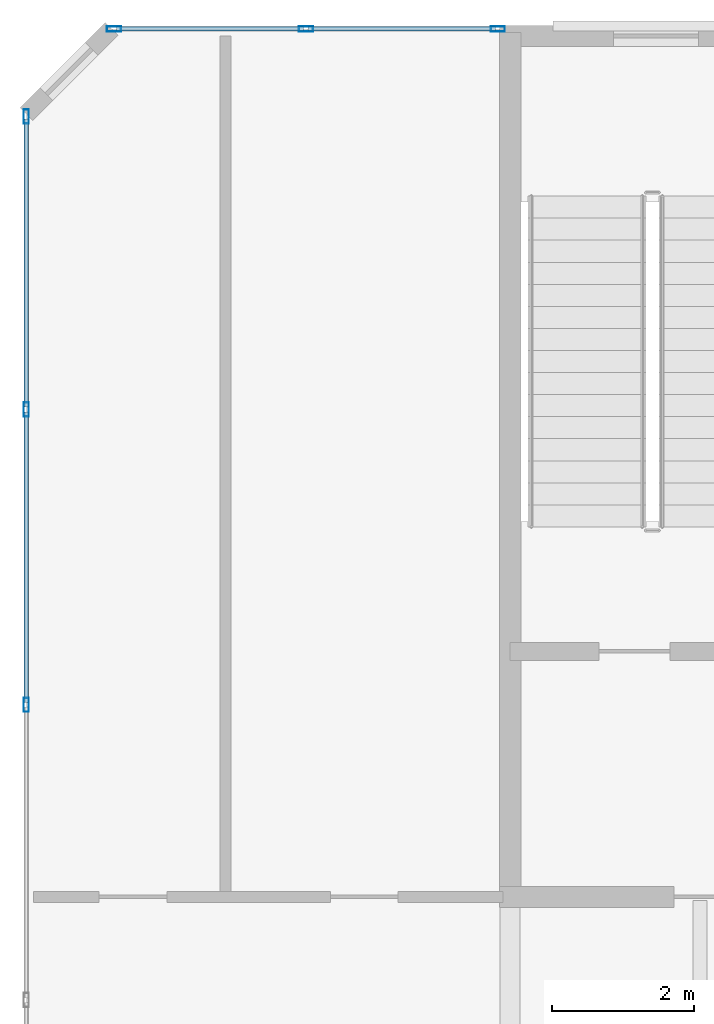
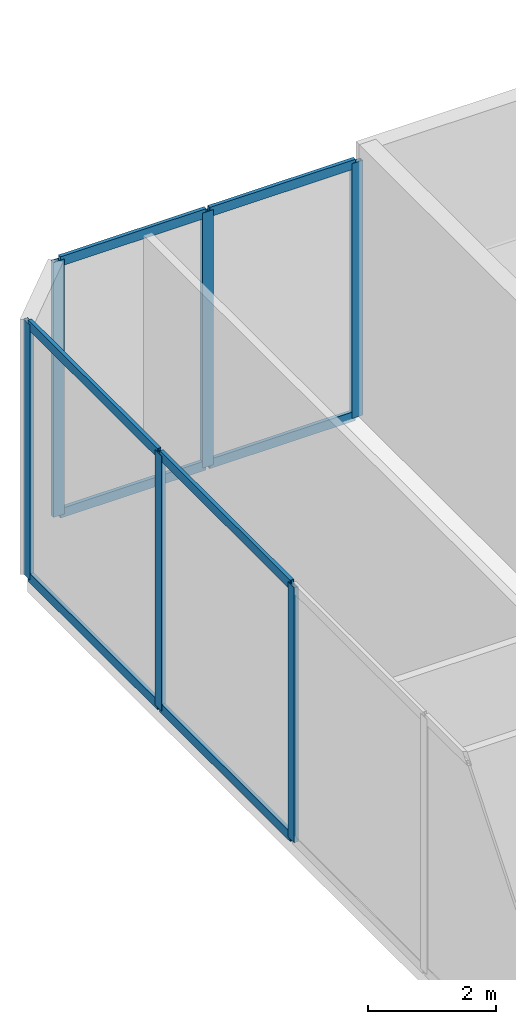
# One storey, part 5 of 11: 14 members, 2 elements without a shape of their own.
"""IFC4 building model written with IfcOpenShell, lengths in metres."""

from ifc_helpers import new_model, si_unit, direction, frame, origin, origin_2d, place, context, subcontext, project, spatial, hollow_rectangle, extrude, material, layer, layer_set, material_profile, profile_set, type_object, element, aggregate, save


model = new_model("IFC4")

# Units and contexts
model_context = context("Model", 3, precision=1e-05, world=origin(), true_north=direction((0.0, 1.0)))
body_context = subcontext(model_context, "Body", "Model", "MODEL_VIEW")
ifc_project = project(units=[si_unit("LENGTHUNIT", "METRE"), si_unit("AREAUNIT", "SQUARE_METRE"), si_unit("VOLUMEUNIT", "CUBIC_METRE"), si_unit("PLANEANGLEUNIT", "RADIAN"), si_unit("MASSUNIT", "GRAM", prefix="KILO")], contexts=[model_context])

# Site, building, storey
site_placement = place(None, origin())
site = spatial("IfcSite", under=ifc_project, at=site_placement, CompositionType="ELEMENT")
building_placement = place(site_placement, origin())
building = spatial("IfcBuilding", under=site, at=building_placement, Name="Catumbela Crestline Tower", CompositionType="ELEMENT")
storey_placement = place(building_placement, frame((0.0, 0.0, 290.6)))
storey = spatial("IfcBuildingStorey", under=building, at=storey_placement, Name="L75", CompositionType="ELEMENT", Elevation=290.6)

# Curtain wall, members
ifc_material = material(Name="Aluminium alloy AW-6060-T66", Category="aluminium")
ifc_layer = layer(ifc_material, 0.18, Name="Aluminium alloy AW-6060-T66")
ifc_layer_set = layer_set([ifc_layer], Name="Aluminium alloy AW-6060-T66")
curtain_wall_type = type_object("IfcCurtainWallType", Name="CWS-OBS", PredefinedType="USERDEFINED", material=ifc_layer_set)
curtain_wall_1_placement = place(storey_placement, origin())
curtain_wall_1 = element("IfcCurtainWall", 1, at=curtain_wall_1_placement, inside=storey, type_object=curtain_wall_type, Name="L75 Stick Curtain Wall CW-L75-E4S2", ObjectType="STICK", PredefinedType="USERDEFINED")
ifc_material_profile_1 = material_profile(ifc_material, hollow_rectangle(XDim=0.075, YDim=0.2, WallThickness=0.005, at=origin_2d()), Name="ALU 200x75x5")
ifc_profile_set_1 = profile_set([ifc_material_profile_1], Name="Aluminium alloy AW-6060-T66")
member_type_1 = type_object("IfcMemberType", Name="MUL-200X75", PredefinedType="MULLION", material=ifc_profile_set_1)
member_1_placement = place(storey_placement, frame((15.8275, 43.0, 0.0), z_axis=(0.0, 0.0, 1.0), x_axis=(0.0, -1.0, 0.0)))
member_1 = element("IfcMember", 2, at=member_1_placement, type_object=member_type_1, Name="CWS-OBS mullion 1", PredefinedType="MULLION", context=body_context, shape_type="SweptSolid", body=[
    extrude(hollow_rectangle(XDim=0.075, YDim=0.2, WallThickness=0.005, at=origin_2d()), origin(), (0.0, 0.0, 1.0), 4.87),
])
member_2_placement = place(storey_placement, frame((13.13, 43.0, 0.0), z_axis=(0.0, 0.0, 1.0), x_axis=(0.0, -1.0, 0.0)))
member_2 = element("IfcMember", 3, at=member_2_placement, type_object=member_type_1, Name="CWS-OBS mullion 2", PredefinedType="MULLION", context=body_context, shape_type="SweptSolid", body=[
    extrude(hollow_rectangle(XDim=0.075, YDim=0.2, WallThickness=0.005, at=origin_2d()), origin(), (0.0, 0.0, 1.0), 4.87),
])
member_3_placement = place(storey_placement, frame((10.4325, 43.0, 0.0), z_axis=(0.0, 0.0, 1.0), x_axis=(0.0, -1.0, 0.0)))
member_3 = element("IfcMember", 4, at=member_3_placement, type_object=member_type_1, Name="CWS-OBS mullion 3", PredefinedType="MULLION", context=body_context, shape_type="SweptSolid", body=[
    extrude(hollow_rectangle(XDim=0.075, YDim=0.2, WallThickness=0.005, at=origin_2d()), origin(), (0.0, 0.0, 1.0), 4.87),
])

curtain_wall_2_placement = place(storey_placement, origin())
curtain_wall_2 = element("IfcCurtainWall", 5, at=curtain_wall_2_placement, inside=storey, type_object=curtain_wall_type, Name="L75 Stick Curtain Wall CW-L75-E6S1", ObjectType="STICK", PredefinedType="USERDEFINED")
member_4_placement = place(storey_placement, frame((9.2, 41.7675, 0.0), z_axis=(0.0, 0.0, 1.0), x_axis=(1.0, 0.0, 0.0)))
member_4 = element("IfcMember", 6, at=member_4_placement, type_object=member_type_1, Name="CWS-OBS mullion 1", PredefinedType="MULLION", context=body_context, shape_type="SweptSolid", body=[
    extrude(hollow_rectangle(XDim=0.075, YDim=0.2, WallThickness=0.005, at=origin_2d()), origin(), (0.0, 0.0, 1.0), 4.87),
])
member_5_placement = place(storey_placement, frame((9.2, 37.65, 0.0), z_axis=(0.0, 0.0, 1.0), x_axis=(1.0, 0.0, 0.0)))
member_5 = element("IfcMember", 7, at=member_5_placement, type_object=member_type_1, Name="CWS-OBS mullion 2", PredefinedType="MULLION", context=body_context, shape_type="SweptSolid", body=[
    extrude(hollow_rectangle(XDim=0.075, YDim=0.2, WallThickness=0.005, at=origin_2d()), origin(), (0.0, 0.0, 1.0), 4.87),
])
member_6_placement = place(storey_placement, frame((9.2, 33.5, 0.0), z_axis=(0.0, 0.0, 1.0), x_axis=(1.0, 0.0, 0.0)))
member_6 = element("IfcMember", 8, at=member_6_placement, type_object=member_type_1, Name="CWS-OBS mullion 3", PredefinedType="MULLION", context=body_context, shape_type="SweptSolid", body=[
    extrude(hollow_rectangle(XDim=0.075, YDim=0.2, WallThickness=0.005, at=origin_2d()), origin(), (0.0, 0.0, 1.0), 4.87),
])

# Member
ifc_material_profile_2 = material_profile(ifc_material, hollow_rectangle(XDim=0.065, YDim=0.18, WallThickness=0.004, at=origin_2d()), Name="ALU 180x65x4")
ifc_profile_set_2 = profile_set([ifc_material_profile_2], Name="Aluminium alloy AW-6060-T66")
member_type_2 = type_object("IfcMemberType", Name="TRN-180X65", PredefinedType="USERDEFINED", material=ifc_profile_set_2)
member_7_placement = place(storey_placement, frame((15.795, 43.0, 0.03), z_axis=(-1.0, 0.0, 0.0), x_axis=(0.0, -1.0, 0.0)))
member_7 = element("IfcMember", 9, at=member_7_placement, type_object=member_type_2, Name="CWS-OBS transom 1.1", ObjectType="TRANSOM", PredefinedType="USERDEFINED", context=body_context, shape_type="SweptSolid", body=[
    extrude(hollow_rectangle(XDim=0.065, YDim=0.18, WallThickness=0.004, at=origin_2d()), origin(), (0.0, 0.0, 1.0), 2.6325),
])

member_8_placement = place(storey_placement, frame((15.795, 43.0, 4.84), z_axis=(-1.0, 0.0, 0.0), x_axis=(0.0, -1.0, 0.0)))
member_8 = element("IfcMember", 10, at=member_8_placement, type_object=member_type_2, Name="CWS-OBS transom 1.2", ObjectType="TRANSOM", PredefinedType="USERDEFINED", context=body_context, shape_type="SweptSolid", body=[
    extrude(hollow_rectangle(XDim=0.065, YDim=0.18, WallThickness=0.004, at=origin_2d()), origin(), (0.0, 0.0, 1.0), 2.6325),
])

member_9_placement = place(storey_placement, frame((13.0975, 43.0, 0.03), z_axis=(-1.0, 0.0, 0.0), x_axis=(0.0, -1.0, 0.0)))
member_9 = element("IfcMember", 11, at=member_9_placement, type_object=member_type_2, Name="CWS-OBS transom 2.1", ObjectType="TRANSOM", PredefinedType="USERDEFINED", context=body_context, shape_type="SweptSolid", body=[
    extrude(hollow_rectangle(XDim=0.065, YDim=0.18, WallThickness=0.004, at=origin_2d()), origin(), (0.0, 0.0, 1.0), 2.6325),
])

member_10_placement = place(storey_placement, frame((13.0975, 43.0, 4.84), z_axis=(-1.0, 0.0, 0.0), x_axis=(0.0, -1.0, 0.0)))
member_10 = element("IfcMember", 12, at=member_10_placement, type_object=member_type_2, Name="CWS-OBS transom 2.2", ObjectType="TRANSOM", PredefinedType="USERDEFINED", context=body_context, shape_type="SweptSolid", body=[
    extrude(hollow_rectangle(XDim=0.065, YDim=0.18, WallThickness=0.004, at=origin_2d()), origin(), (0.0, 0.0, 1.0), 2.6325),
])

aggregate(curtain_wall_1, [member_1, member_2, member_3, member_7, member_8, member_9, member_10])

member_11_placement = place(storey_placement, frame((9.2, 41.735, 0.03), z_axis=(0.0, -1.0, 0.0), x_axis=(1.0, 0.0, 0.0)))
member_11 = element("IfcMember", 13, at=member_11_placement, type_object=member_type_2, Name="CWS-OBS transom 1.1", ObjectType="TRANSOM", PredefinedType="USERDEFINED", context=body_context, shape_type="SweptSolid", body=[
    extrude(hollow_rectangle(XDim=0.065, YDim=0.18, WallThickness=0.004, at=origin_2d()), origin(), (0.0, 0.0, 1.0), 4.0525),
])

member_12_placement = place(storey_placement, frame((9.2, 41.735, 4.84), z_axis=(0.0, -1.0, 0.0), x_axis=(1.0, 0.0, 0.0)))
member_12 = element("IfcMember", 14, at=member_12_placement, type_object=member_type_2, Name="CWS-OBS transom 1.2", ObjectType="TRANSOM", PredefinedType="USERDEFINED", context=body_context, shape_type="SweptSolid", body=[
    extrude(hollow_rectangle(XDim=0.065, YDim=0.18, WallThickness=0.004, at=origin_2d()), origin(), (0.0, 0.0, 1.0), 4.0525),
])

member_13_placement = place(storey_placement, frame((9.2, 37.6175, 0.03), z_axis=(0.0, -1.0, 0.0), x_axis=(1.0, 0.0, 0.0)))
member_13 = element("IfcMember", 15, at=member_13_placement, type_object=member_type_2, Name="CWS-OBS transom 2.1", ObjectType="TRANSOM", PredefinedType="USERDEFINED", context=body_context, shape_type="SweptSolid", body=[
    extrude(hollow_rectangle(XDim=0.065, YDim=0.18, WallThickness=0.004, at=origin_2d()), origin(), (0.0, 0.0, 1.0), 4.085),
])

member_14_placement = place(storey_placement, frame((9.2, 37.6175, 4.84), z_axis=(0.0, -1.0, 0.0), x_axis=(1.0, 0.0, 0.0)))
member_14 = element("IfcMember", 16, at=member_14_placement, type_object=member_type_2, Name="CWS-OBS transom 2.2", ObjectType="TRANSOM", PredefinedType="USERDEFINED", context=body_context, shape_type="SweptSolid", body=[
    extrude(hollow_rectangle(XDim=0.065, YDim=0.18, WallThickness=0.004, at=origin_2d()), origin(), (0.0, 0.0, 1.0), 4.085),
])

aggregate(curtain_wall_2, [member_4, member_5, member_6, member_11, member_12, member_13, member_14])

save(model, "model.ifc")
